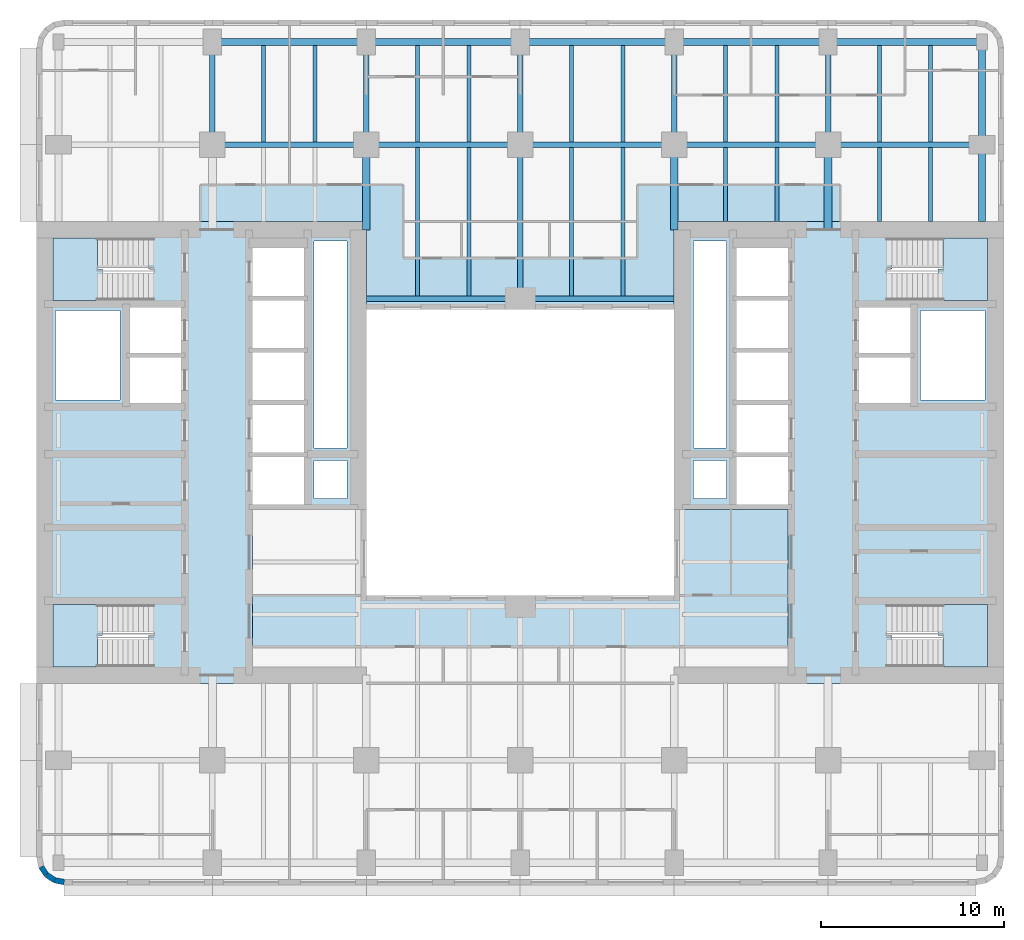
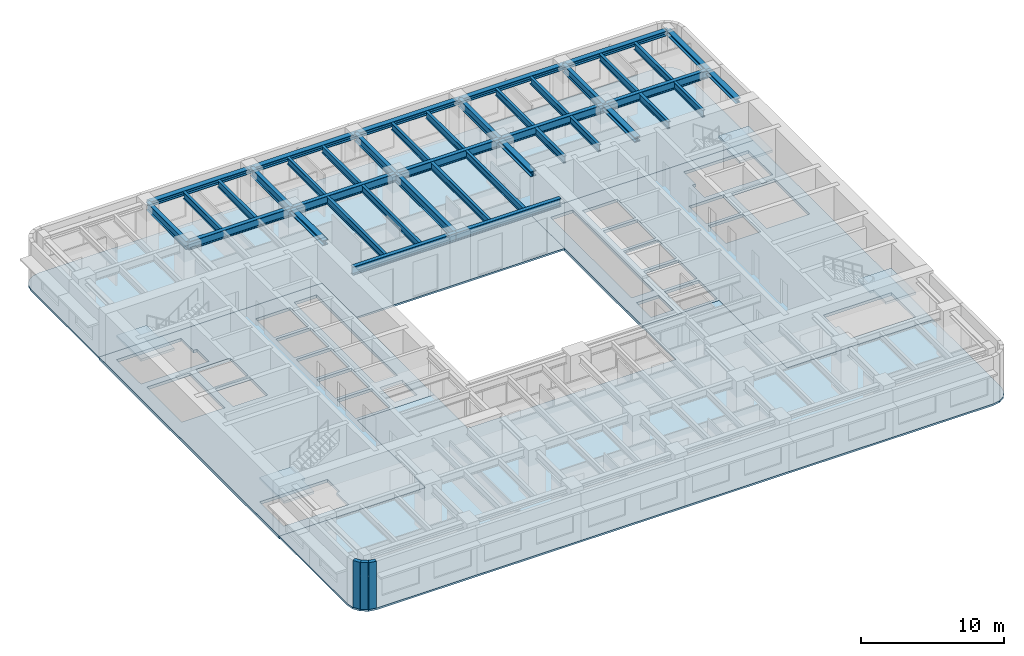
# One storey, part 2 of 11: 41 beams, 8 slabs, 3 walls, 4 elements without a shape of their own.
"""IFC4 building model written with IfcOpenShell, lengths in metres."""

from ifc_helpers import new_model, si_unit, direction, frame, frame_2d, origin, origin_2d, place, context, subcontext, project, spatial, polyline, rectangle, i_section, outline, extrude, material, layer, layer_set, material_profile, profile_set, type_object, element, aggregate, save


model = new_model("IFC4")

# Units and contexts
model_context = context("Model", 3, precision=1e-05, world=origin(), true_north=direction((0.0, 1.0)))
body_context = subcontext(model_context, "Body", "Model", "MODEL_VIEW")
ifc_project = project(units=[si_unit("LENGTHUNIT", "METRE"), si_unit("AREAUNIT", "SQUARE_METRE"), si_unit("VOLUMEUNIT", "CUBIC_METRE"), si_unit("PLANEANGLEUNIT", "RADIAN"), si_unit("MASSUNIT", "GRAM", prefix="KILO")], contexts=[model_context])

# Site, building, storey
site_placement = place(None, origin())
site = spatial("IfcSite", under=ifc_project, at=site_placement, CompositionType="ELEMENT")
building_placement = place(site_placement, origin())
building = spatial("IfcBuilding", under=site, at=building_placement, Name="Claustro Exchange Tower", CompositionType="ELEMENT")
storey_placement = place(building_placement, frame((0.0, 0.0, 163.800048828125)))
storey = spatial("IfcBuildingStorey", under=building, at=storey_placement, Name="L37", CompositionType="ELEMENT", Elevation=163.800048828125)

# Beams
ifc_material_1 = material(Name="Steel S355", Category="steel")
ifc_material_profile_1 = material_profile(ifc_material_1, i_section(OverallWidth=0.300048828125, OverallDepth=0.68994140625, WebThickness=0.014404296875, FlangeThickness=0.027099609375, FilletRadius=0.027099609375, at=origin_2d()), Name="HE 700 A")
ifc_profile_set_1 = profile_set([ifc_material_profile_1], Name="Steel S355")
beam_type_1 = type_object("IfcBeamType", Name="B13 HE 700 A light well edge girder", PredefinedType="BEAM", material=ifc_profile_set_1)
beam_1_placement = place(storey_placement, frame((16.800048828125, 33.60009765625, 3.655029296875), z_axis=(1.0, 0.0, 0.0), x_axis=(0.0, 1.0, 0.0)))
element("IfcBeam", 1, at=beam_1_placement, inside=storey, type_object=beam_type_1, Name="Beam B13 L38", PredefinedType="BEAM", context=body_context, shape_type="SweptSolid", body=[
    extrude(i_section(OverallWidth=0.300048828125, OverallDepth=0.68994140625, WebThickness=0.014404296875, FlangeThickness=0.027099609375, FilletRadius=0.027099609375, at=origin_2d()), origin(), (0.0, 0.0, 1.0), 8.39990234375),
])
beam_2_placement = place(storey_placement, frame((25.199951171875, 33.60009765625, 3.655029296875), z_axis=(1.0, 0.0, 0.0), x_axis=(0.0, 1.0, 0.0)))
element("IfcBeam", 2, at=beam_2_placement, inside=storey, type_object=beam_type_1, Name="Beam B13 L38", PredefinedType="BEAM", context=body_context, shape_type="SweptSolid", body=[
    extrude(i_section(OverallWidth=0.300048828125, OverallDepth=0.68994140625, WebThickness=0.014404296875, FlangeThickness=0.027099609375, FilletRadius=0.027099609375, at=origin_2d()), origin(), (0.0, 0.0, 1.0), 8.400146484375),
])
ifc_material_2 = material(Name="Steel S355", Category="steel")
ifc_material_profile_2 = material_profile(ifc_material_2, i_section(OverallWidth=0.300048828125, OverallDepth=0.699951171875, WebThickness=0.01708984375, FlangeThickness=0.031982421875, FilletRadius=0.027099609375, at=origin_2d()), Name="HE 700 B")
ifc_profile_set_2 = profile_set([ifc_material_profile_2], Name="Steel S355")
beam_type_2 = type_object("IfcBeamType", Name="B4 HE 700 B floor girder", PredefinedType="BEAM", material=ifc_profile_set_2)
for number, where, z_axis, x_axis, name in (
    (3, (8.39990234375, 42.0, 3.64990234375), (0.0, 1.0, 0.0), (-1.0, 0.0, 0.0), "Beam B4 L38"),
    (4, (16.800048828125, 42.0, 3.64990234375), (0.0, 1.0, 0.0), (-1.0, 0.0, 0.0), "Beam B4 L38"),
):
    element("IfcBeam", number, at=place(storey_placement, frame(where, z_axis=z_axis, x_axis=x_axis)), inside=storey, type_object=beam_type_2, Name=name, PredefinedType="BEAM", context=body_context, shape_type="SweptSolid", body=[
        extrude(i_section(OverallWidth=0.300048828125, OverallDepth=0.699951171875, WebThickness=0.01708984375, FlangeThickness=0.031982421875, FilletRadius=0.027099609375, at=origin_2d()), origin(), (0.0, 0.0, 1.0), 5.60009765625),
    ])
beam_3_placement = place(storey_placement, frame((25.199951171875, 33.60009765625, 3.64990234375), z_axis=(0.0, 1.0, 0.0), x_axis=(-1.0, 0.0, 0.0)))
element("IfcBeam", 5, at=beam_3_placement, inside=storey, type_object=beam_type_2, Name="Beam B4 L38", PredefinedType="BEAM", context=body_context, shape_type="SweptSolid", body=[
    extrude(i_section(OverallWidth=0.300048828125, OverallDepth=0.699951171875, WebThickness=0.01708984375, FlangeThickness=0.031982421875, FilletRadius=0.027099609375, at=origin_2d()), origin(), (0.0, 0.0, 1.0), 8.39990234375),
])
for number, where, z_axis, x_axis, name in (
    (6, (25.199951171875, 42.0, 3.64990234375), (0.0, 1.0, 0.0), (-1.0, 0.0, 0.0), "Beam B4 L38"),
    (7, (33.60009765625, 42.0, 3.64990234375), (0.0, 1.0, 0.0), (-1.0, 0.0, 0.0), "Beam B4 L38"),
    (8, (42.0, 42.0, 3.64990234375), (0.0, 1.0, 0.0), (-1.0, 0.0, 0.0), "Beam B4 L38"),
):
    element("IfcBeam", number, at=place(storey_placement, frame(where, z_axis=z_axis, x_axis=x_axis)), inside=storey, type_object=beam_type_2, Name=name, PredefinedType="BEAM", context=body_context, shape_type="SweptSolid", body=[
        extrude(i_section(OverallWidth=0.300048828125, OverallDepth=0.699951171875, WebThickness=0.01708984375, FlangeThickness=0.031982421875, FilletRadius=0.027099609375, at=origin_2d()), origin(), (0.0, 0.0, 1.0), 5.60009765625),
    ])
beam_4_placement = place(storey_placement, frame((8.39990234375, 42.0, 3.64990234375), z_axis=(1.0, 0.0, 0.0), x_axis=(0.0, 1.0, 0.0)))
element("IfcBeam", 9, at=beam_4_placement, inside=storey, type_object=beam_type_2, Name="Beam B4 L38", PredefinedType="BEAM", context=body_context, shape_type="SweptSolid", body=[
    extrude(i_section(OverallWidth=0.300048828125, OverallDepth=0.699951171875, WebThickness=0.01708984375, FlangeThickness=0.031982421875, FilletRadius=0.027099609375, at=origin_2d()), origin(), (0.0, 0.0, 1.0), 8.400146484375),
])
beam_5_placement = place(storey_placement, frame((16.800048828125, 42.0, 3.64990234375), z_axis=(1.0, 0.0, 0.0), x_axis=(0.0, 1.0, 0.0)))
element("IfcBeam", 10, at=beam_5_placement, inside=storey, type_object=beam_type_2, Name="Beam B4 L38", PredefinedType="BEAM", context=body_context, shape_type="SweptSolid", body=[
    extrude(i_section(OverallWidth=0.300048828125, OverallDepth=0.699951171875, WebThickness=0.01708984375, FlangeThickness=0.031982421875, FilletRadius=0.027099609375, at=origin_2d()), origin(), (0.0, 0.0, 1.0), 8.39990234375),
])
beam_6_placement = place(storey_placement, frame((25.199951171875, 42.0, 3.64990234375), z_axis=(1.0, 0.0, 0.0), x_axis=(0.0, 1.0, 0.0)))
element("IfcBeam", 11, at=beam_6_placement, inside=storey, type_object=beam_type_2, Name="Beam B4 L38", PredefinedType="BEAM", context=body_context, shape_type="SweptSolid", body=[
    extrude(i_section(OverallWidth=0.300048828125, OverallDepth=0.699951171875, WebThickness=0.01708984375, FlangeThickness=0.031982421875, FilletRadius=0.027099609375, at=origin_2d()), origin(), (0.0, 0.0, 1.0), 8.400146484375),
])
for number, where, z_axis, x_axis, name in (
    (12, (33.60009765625, 42.0, 3.64990234375), (1.0, 0.0, 0.0), (0.0, 1.0, 0.0), "Beam B4 L38"),
    (13, (42.0, 42.0, 3.64990234375), (1.0, 0.0, 0.0), (0.0, 1.0, 0.0), "Beam B4 L38"),
):
    element("IfcBeam", number, at=place(storey_placement, frame(where, z_axis=z_axis, x_axis=x_axis)), inside=storey, type_object=beam_type_2, Name=name, PredefinedType="BEAM", context=body_context, shape_type="SweptSolid", body=[
        extrude(i_section(OverallWidth=0.300048828125, OverallDepth=0.699951171875, WebThickness=0.01708984375, FlangeThickness=0.031982421875, FilletRadius=0.027099609375, at=origin_2d()), origin(), (0.0, 0.0, 1.0), 8.39990234375),
    ])
ifc_material_3 = material(Name="Steel S355", Category="steel")
ifc_material_profile_3 = material_profile(ifc_material_3, i_section(OverallWidth=0.219970703125, OverallDepth=0.60009765625, WebThickness=0.011962890625, FlangeThickness=0.01904296875, FilletRadius=0.02392578125, at=origin_2d()), Name="IPE 600")
ifc_profile_set_3 = profile_set([ifc_material_profile_3], Name="Steel S355")
beam_type_3 = type_object("IfcBeamType", Name="B5 IPE 600 secondary beam", PredefinedType="BEAM", material=ifc_profile_set_3)
for number, where, z_axis, x_axis, name in (
    (14, (11.199951171875, 42.14990234375, 3.699951171875), (0.0, 1.0, 0.0), (-1.0, 0.0, 0.0), "Beam B5 L38"),
    (15, (14.0, 42.14990234375, 3.699951171875), (0.0, 1.0, 0.0), (-1.0, 0.0, 0.0), "Beam B5 L38"),
):
    element("IfcBeam", number, at=place(storey_placement, frame(where, z_axis=z_axis, x_axis=x_axis)), inside=storey, type_object=beam_type_3, Name=name, PredefinedType="BEAM", context=body_context, shape_type="SweptSolid", body=[
        extrude(i_section(OverallWidth=0.219970703125, OverallDepth=0.60009765625, WebThickness=0.011962890625, FlangeThickness=0.01904296875, FilletRadius=0.02392578125, at=origin_2d()), origin(), (0.0, 0.0, 1.0), 5.248046875),
    ])
for number, where, z_axis, x_axis, name in (
    (16, (19.60009765625, 33.75, 3.699951171875), (0.0, 1.0, 0.0), (-1.0, 0.0, 0.0), "Beam B5 L38"),
    (17, (22.39990234375, 33.75, 3.699951171875), (0.0, 1.0, 0.0), (-1.0, 0.0, 0.0), "Beam B5 L38"),
):
    element("IfcBeam", number, at=place(storey_placement, frame(where, z_axis=z_axis, x_axis=x_axis)), inside=storey, type_object=beam_type_3, Name=name, PredefinedType="BEAM", context=body_context, shape_type="SweptSolid", body=[
        extrude(i_section(OverallWidth=0.219970703125, OverallDepth=0.60009765625, WebThickness=0.011962890625, FlangeThickness=0.01904296875, FilletRadius=0.02392578125, at=origin_2d()), origin(), (0.0, 0.0, 1.0), 8.10009765625),
    ])
for number, where, z_axis, x_axis, name in (
    (18, (19.60009765625, 42.14990234375, 3.699951171875), (0.0, 1.0, 0.0), (-1.0, 0.0, 0.0), "Beam B5 L38"),
    (19, (22.39990234375, 42.14990234375, 3.699951171875), (0.0, 1.0, 0.0), (-1.0, 0.0, 0.0), "Beam B5 L38"),
):
    element("IfcBeam", number, at=place(storey_placement, frame(where, z_axis=z_axis, x_axis=x_axis)), inside=storey, type_object=beam_type_3, Name=name, PredefinedType="BEAM", context=body_context, shape_type="SweptSolid", body=[
        extrude(i_section(OverallWidth=0.219970703125, OverallDepth=0.60009765625, WebThickness=0.011962890625, FlangeThickness=0.01904296875, FilletRadius=0.02392578125, at=origin_2d()), origin(), (0.0, 0.0, 1.0), 5.248046875),
    ])
for number, where, z_axis, x_axis, name in (
    (20, (28.0, 33.75, 3.699951171875), (0.0, 1.0, 0.0), (-1.0, 0.0, 0.0), "Beam B5 L38"),
    (21, (30.800048828125, 33.75, 3.699951171875), (0.0, 1.0, 0.0), (-1.0, 0.0, 0.0), "Beam B5 L38"),
):
    element("IfcBeam", number, at=place(storey_placement, frame(where, z_axis=z_axis, x_axis=x_axis)), inside=storey, type_object=beam_type_3, Name=name, PredefinedType="BEAM", context=body_context, shape_type="SweptSolid", body=[
        extrude(i_section(OverallWidth=0.219970703125, OverallDepth=0.60009765625, WebThickness=0.011962890625, FlangeThickness=0.01904296875, FilletRadius=0.02392578125, at=origin_2d()), origin(), (0.0, 0.0, 1.0), 8.10009765625),
    ])
for number, where, z_axis, x_axis, name in (
    (22, (28.0, 42.14990234375, 3.699951171875), (0.0, 1.0, 0.0), (-1.0, 0.0, 0.0), "Beam B5 L38"),
    (23, (30.800048828125, 42.14990234375, 3.699951171875), (0.0, 1.0, 0.0), (-1.0, 0.0, 0.0), "Beam B5 L38"),
):
    element("IfcBeam", number, at=place(storey_placement, frame(where, z_axis=z_axis, x_axis=x_axis)), inside=storey, type_object=beam_type_3, Name=name, PredefinedType="BEAM", context=body_context, shape_type="SweptSolid", body=[
        extrude(i_section(OverallWidth=0.219970703125, OverallDepth=0.60009765625, WebThickness=0.011962890625, FlangeThickness=0.01904296875, FilletRadius=0.02392578125, at=origin_2d()), origin(), (0.0, 0.0, 1.0), 5.248046875),
    ])
for number, where, z_axis, x_axis, name in (
    (24, (36.39990234375, 37.7900390625, 3.699951171875), (0.0, 1.0, 0.0), (-1.0, 0.0, 0.0), "Beam B5 L38"),
    (25, (39.199951171875, 37.7900390625, 3.699951171875), (0.0, 1.0, 0.0), (-1.0, 0.0, 0.0), "Beam B5 L38"),
):
    element("IfcBeam", number, at=place(storey_placement, frame(where, z_axis=z_axis, x_axis=x_axis)), inside=storey, type_object=beam_type_3, Name=name, PredefinedType="BEAM", context=body_context, shape_type="SweptSolid", body=[
        extrude(i_section(OverallWidth=0.219970703125, OverallDepth=0.60009765625, WebThickness=0.011962890625, FlangeThickness=0.01904296875, FilletRadius=0.02392578125, at=origin_2d()), origin(), (0.0, 0.0, 1.0), 4.06005859375),
    ])
for number, where, z_axis, x_axis, name in (
    (26, (36.39990234375, 42.14990234375, 3.699951171875), (0.0, 1.0, 0.0), (-1.0, 0.0, 0.0), "Beam B5 L38"),
    (27, (39.199951171875, 42.14990234375, 3.699951171875), (0.0, 1.0, 0.0), (-1.0, 0.0, 0.0), "Beam B5 L38"),
):
    element("IfcBeam", number, at=place(storey_placement, frame(where, z_axis=z_axis, x_axis=x_axis)), inside=storey, type_object=beam_type_3, Name=name, PredefinedType="BEAM", context=body_context, shape_type="SweptSolid", body=[
        extrude(i_section(OverallWidth=0.219970703125, OverallDepth=0.60009765625, WebThickness=0.011962890625, FlangeThickness=0.01904296875, FilletRadius=0.02392578125, at=origin_2d()), origin(), (0.0, 0.0, 1.0), 5.248046875),
    ])
for number, where, z_axis, x_axis, name in (
    (28, (44.800048828125, 37.7900390625, 3.699951171875), (0.0, 1.0, 0.0), (-1.0, 0.0, 0.0), "Beam B5 L38"),
    (29, (47.60009765625, 37.7900390625, 3.699951171875), (0.0, 1.0, 0.0), (-1.0, 0.0, 0.0), "Beam B5 L38"),
):
    element("IfcBeam", number, at=place(storey_placement, frame(where, z_axis=z_axis, x_axis=x_axis)), inside=storey, type_object=beam_type_3, Name=name, PredefinedType="BEAM", context=body_context, shape_type="SweptSolid", body=[
        extrude(i_section(OverallWidth=0.219970703125, OverallDepth=0.60009765625, WebThickness=0.011962890625, FlangeThickness=0.01904296875, FilletRadius=0.02392578125, at=origin_2d()), origin(), (0.0, 0.0, 1.0), 4.06005859375),
    ])
for number, where, z_axis, x_axis, name in (
    (30, (44.800048828125, 42.14990234375, 3.699951171875), (0.0, 1.0, 0.0), (-1.0, 0.0, 0.0), "Beam B5 L38"),
    (31, (47.60009765625, 42.14990234375, 3.699951171875), (0.0, 1.0, 0.0), (-1.0, 0.0, 0.0), "Beam B5 L38"),
):
    element("IfcBeam", number, at=place(storey_placement, frame(where, z_axis=z_axis, x_axis=x_axis)), inside=storey, type_object=beam_type_3, Name=name, PredefinedType="BEAM", context=body_context, shape_type="SweptSolid", body=[
        extrude(i_section(OverallWidth=0.219970703125, OverallDepth=0.60009765625, WebThickness=0.011962890625, FlangeThickness=0.01904296875, FilletRadius=0.02392578125, at=origin_2d()), origin(), (0.0, 0.0, 1.0), 5.248046875),
    ])
ifc_material_4 = material(Name="Steel S460", Category="steel")
ifc_material_profile_4 = material_profile(ifc_material_4, i_section(OverallWidth=0.404052734375, OverallDepth=0.406982421875, WebThickness=0.027099609375, FlangeThickness=0.043701171875, FilletRadius=0.014892578125, at=origin_2d()), Name="HD 400x347")
ifc_profile_set_4 = profile_set([ifc_material_profile_4], Name="Steel S460")
beam_type_4 = type_object("IfcBeamType", Name="BT3 HD 400x347 belt truss chord", PredefinedType="BEAM", material=ifc_profile_set_4)
beam_7_placement = place(storey_placement, frame((50.39990234375, 37.800048828125, 3.79638671875), z_axis=(0.0, 1.0, 0.0), x_axis=(-1.0, 0.0, 0.0)))
element("IfcBeam", 32, at=beam_7_placement, inside=storey, type_object=beam_type_4, Name="Beam BT3 L38", PredefinedType="BEAM", context=body_context, shape_type="SweptSolid", body=[
    extrude(i_section(OverallWidth=0.404052734375, OverallDepth=0.406982421875, WebThickness=0.027099609375, FlangeThickness=0.043701171875, FilletRadius=0.014892578125, at=origin_2d()), origin(), (0.0, 0.0, 1.0), 4.199951171875),
])
beam_8_placement = place(storey_placement, frame((50.39990234375, 42.0, 3.79638671875), z_axis=(0.0, 1.0, 0.0), x_axis=(-1.0, 0.0, 0.0)))
element("IfcBeam", 33, at=beam_8_placement, inside=storey, type_object=beam_type_4, Name="Beam BT3 L38", PredefinedType="BEAM", context=body_context, shape_type="SweptSolid", body=[
    extrude(i_section(OverallWidth=0.404052734375, OverallDepth=0.406982421875, WebThickness=0.027099609375, FlangeThickness=0.043701171875, FilletRadius=0.014892578125, at=origin_2d()), origin(), (0.0, 0.0, 1.0), 5.60009765625),
])
beam_9_placement = place(storey_placement, frame((8.39990234375, 47.60009765625, 3.79638671875), z_axis=(1.0, 0.0, 0.0), x_axis=(0.0, 1.0, 0.0)))
element("IfcBeam", 34, at=beam_9_placement, inside=storey, type_object=beam_type_4, Name="Beam BT3 L38", PredefinedType="BEAM", context=body_context, shape_type="SweptSolid", body=[
    extrude(i_section(OverallWidth=0.404052734375, OverallDepth=0.406982421875, WebThickness=0.027099609375, FlangeThickness=0.043701171875, FilletRadius=0.014892578125, at=origin_2d()), origin(), (0.0, 0.0, 1.0), 8.400146484375),
])
beam_10_placement = place(storey_placement, frame((16.800048828125, 47.60009765625, 3.79638671875), z_axis=(1.0, 0.0, 0.0), x_axis=(0.0, 1.0, 0.0)))
element("IfcBeam", 35, at=beam_10_placement, inside=storey, type_object=beam_type_4, Name="Beam BT3 L38", PredefinedType="BEAM", context=body_context, shape_type="SweptSolid", body=[
    extrude(i_section(OverallWidth=0.404052734375, OverallDepth=0.406982421875, WebThickness=0.027099609375, FlangeThickness=0.043701171875, FilletRadius=0.014892578125, at=origin_2d()), origin(), (0.0, 0.0, 1.0), 8.39990234375),
])
beam_11_placement = place(storey_placement, frame((25.199951171875, 47.60009765625, 3.79638671875), z_axis=(1.0, 0.0, 0.0), x_axis=(0.0, 1.0, 0.0)))
element("IfcBeam", 36, at=beam_11_placement, inside=storey, type_object=beam_type_4, Name="Beam BT3 L38", PredefinedType="BEAM", context=body_context, shape_type="SweptSolid", body=[
    extrude(i_section(OverallWidth=0.404052734375, OverallDepth=0.406982421875, WebThickness=0.027099609375, FlangeThickness=0.043701171875, FilletRadius=0.014892578125, at=origin_2d()), origin(), (0.0, 0.0, 1.0), 8.400146484375),
])
for number, where, z_axis, x_axis, name in (
    (37, (33.60009765625, 47.60009765625, 3.79638671875), (1.0, 0.0, 0.0), (0.0, 1.0, 0.0), "Beam BT3 L38"),
    (38, (42.0, 47.60009765625, 3.79638671875), (1.0, 0.0, 0.0), (0.0, 1.0, 0.0), "Beam BT3 L38"),
):
    element("IfcBeam", number, at=place(storey_placement, frame(where, z_axis=z_axis, x_axis=x_axis)), inside=storey, type_object=beam_type_4, Name=name, PredefinedType="BEAM", context=body_context, shape_type="SweptSolid", body=[
        extrude(i_section(OverallWidth=0.404052734375, OverallDepth=0.406982421875, WebThickness=0.027099609375, FlangeThickness=0.043701171875, FilletRadius=0.014892578125, at=origin_2d()), origin(), (0.0, 0.0, 1.0), 8.39990234375),
    ])
ifc_material_5 = material(Name="Steel S460", Category="steel")
ifc_material_profile_5 = material_profile(ifc_material_5, i_section(OverallWidth=0.422119140625, OverallDepth=0.425048828125, WebThickness=0.035888671875, FlangeThickness=0.05810546875, FilletRadius=0.014892578125, at=origin_2d()), Name="HD 400x463")
ifc_profile_set_5 = profile_set([ifc_material_profile_5], Name="Steel S460")
beam_type_5 = type_object("IfcBeamType", Name="OT3 HD 400x463 OUTRIGGER truss chord", PredefinedType="BEAM", material=ifc_profile_set_5)
for number, where, z_axis, x_axis, name in (
    (39, (16.800048828125, 37.35009765625, 3.737548828125), (0.0, 1.0, 0.0), (-1.0, 0.0, 0.0), "Beam OT3 L38"),
    (40, (33.60009765625, 37.35009765625, 3.737548828125), (0.0, 1.0, 0.0), (-1.0, 0.0, 0.0), "Beam OT3 L38"),
    (41, (42.0, 37.35009765625, 3.737548828125), (0.0, 1.0, 0.0), (-1.0, 0.0, 0.0), "Beam OT3 L38"),
):
    element("IfcBeam", number, at=place(storey_placement, frame(where, z_axis=z_axis, x_axis=x_axis)), inside=storey, type_object=beam_type_5, Name=name, PredefinedType="BEAM", context=body_context, shape_type="SweptSolid", body=[
        extrude(i_section(OverallWidth=0.422119140625, OverallDepth=0.425048828125, WebThickness=0.035888671875, FlangeThickness=0.05810546875, FilletRadius=0.014892578125, at=origin_2d()), origin(), (0.0, 0.0, 1.0), 4.64990234375),
    ])

# Slabs
ifc_material_6 = material(Name="Concrete HA-50 (C50/60)", Category="concrete")
ifc_layer_1 = layer(ifc_material_6, 0.14990234375)
ifc_layer_set_1 = layer_set([ifc_layer_1], Name="Concrete HA-50 (C50/60)")
slab_type_1 = type_object("IfcSlabType", Name="S2 150 composite floor slab", PredefinedType="FLOOR", material=ifc_layer_set_1)
slab_1_placement = place(storey_placement, frame((0.0, 0.0, -0.150146484375)))
element("IfcSlab", 42, at=slab_1_placement, inside=storey, type_object=slab_type_1, Name="Floor slab S2 S L37", PredefinedType="FLOOR", context=body_context, shape_type="SweptSolid", body=[
    extrude(outline(polyline([(-0.27392578125, 1.714111328125), (0.300048828125, 1.60009765625), (50.10009765625, 1.60009765625), (50.674072265625, 1.714111328125), (51.16064453125, 2.039306640625), (51.48583984375, 2.52587890625), (51.60009765625, 3.10009765625), (51.60009765625, 12.60009765625), (39.800048828125, 12.60009765625), (39.800048828125, 22.10009765625), (33.60009765625, 22.10009765625), (33.60009765625, 17.39990234375), (16.800048828125, 17.39990234375), (16.800048828125, 22.10009765625), (10.60009765625, 22.10009765625), (10.60009765625, 12.60009765625), (-1.199951171875, 12.60009765625), (-1.199951171875, 3.10009765625), (-1.085693359375, 2.52587890625), (-0.7607421875, 2.039306640625), (-0.27392578125, 1.714111328125)])), origin(), (0.0, 0.0, 1.0), 0.150146484375),
])
slab_2_placement = place(storey_placement, frame((0.0, 0.0, -0.150146484375)))
element("IfcSlab", 43, at=slab_2_placement, inside=storey, type_object=slab_type_1, Name="Floor slab S2 N L37", PredefinedType="FLOOR", context=body_context, shape_type="SweptSolid", body=[
    extrude(outline(polyline([(16.800048828125, 37.800048828125), (16.800048828125, 33.0), (33.60009765625, 33.0), (33.60009765625, 37.800048828125), (51.60009765625, 37.800048828125), (51.60009765625, 47.300048828125), (51.48583984375, 47.8740234375), (51.16064453125, 48.360595703125), (50.674072265625, 48.685791015625), (50.10009765625, 48.800048828125), (0.300048828125, 48.800048828125), (-0.27392578125, 48.685791015625), (-0.7607421875, 48.360595703125), (-1.085693359375, 47.8740234375), (-1.199951171875, 47.300048828125), (-1.199951171875, 37.800048828125), (16.800048828125, 37.800048828125)])), origin(), (0.0, 0.0, 1.0), 0.150146484375),
])
ifc_material_7 = material(Name="Concrete HA-50 (C50/60)", Category="concrete")
ifc_layer_2 = layer(ifc_material_7, 0.25)
ifc_layer_set_2 = layer_set([ifc_layer_2], Name="Concrete HA-50 (C50/60)")
slab_type_2 = type_object("IfcSlabType", Name="S7 250 core floor slab", PredefinedType="FLOOR", material=ifc_layer_set_2)
slab_3_placement = place(storey_placement, frame((0.0, 0.0, -0.25)))
element("IfcSlab", 44, at=slab_3_placement, inside=storey, type_object=slab_type_2, Name="Core floor slab S7 W core L37", PredefinedType="FLOOR", context=body_context, shape_type="SweptSolid", body=[
    extrude(outline(polyline([(-1.199951171875, 37.800048828125), (-1.199951171875, 12.60009765625), (10.60009765625, 12.60009765625), (10.60009765625, 22.10009765625), (16.800048828125, 22.10009765625), (16.800048828125, 37.800048828125), (-1.199951171875, 37.800048828125)]), holes=[polyline([(13.949951171875, 24.75), (15.75, 24.75), (15.75, 22.699951171875), (13.949951171875, 22.699951171875), (13.949951171875, 24.75)]), polyline([(13.949951171875, 36.75), (15.75, 36.75), (15.75, 25.449951171875), (13.949951171875, 25.449951171875), (13.949951171875, 36.75)]), polyline([(13.39990234375, 24.949951171875), (13.39990234375, 22.35009765625), (10.60009765625, 22.35009765625), (10.60009765625, 24.949951171875), (13.39990234375, 24.949951171875)]), polyline([(13.39990234375, 27.800048828125), (13.39990234375, 25.199951171875), (10.60009765625, 25.199951171875), (10.60009765625, 27.800048828125), (13.39990234375, 27.800048828125)]), polyline([(13.39990234375, 30.64990234375), (13.39990234375, 28.050048828125), (10.60009765625, 28.050048828125), (10.60009765625, 30.64990234375), (13.39990234375, 30.64990234375)]), polyline([(13.39990234375, 33.5), (13.39990234375, 30.89990234375), (10.60009765625, 30.89990234375), (10.60009765625, 33.5), (13.39990234375, 33.5)]), polyline([(13.39990234375, 36.35009765625), (13.39990234375, 33.75), (10.60009765625, 33.75), (10.60009765625, 36.35009765625), (13.39990234375, 36.35009765625)]), polyline([(6.699951171875, 30.375), (6.699951171875, 27.89990234375), (3.89990234375, 27.89990234375), (3.89990234375, 30.375), (6.699951171875, 30.375)]), polyline([(6.699951171875, 33.10009765625), (6.699951171875, 30.625), (3.89990234375, 30.625), (3.89990234375, 33.10009765625), (6.699951171875, 33.10009765625)]), polyline([(-0.300048828125, 15.199951171875), (-0.300048828125, 16.89990234375), (5.195068359375, 16.89990234375), (5.195068359375, 15.199951171875), (4.919921875, 15.199951171875), (4.919921875, 13.5), (-0.300048828125, 13.5), (-0.300048828125, 15.199951171875)]), polyline([(-0.300048828125, 35.199951171875), (-0.300048828125, 36.89990234375), (4.919921875, 36.89990234375), (4.919921875, 35.199951171875), (5.195068359375, 35.199951171875), (5.195068359375, 33.5), (-0.300048828125, 33.5), (-0.300048828125, 35.199951171875)]), polyline([(-0.14990234375, 32.949951171875), (3.35009765625, 32.949951171875), (3.35009765625, 28.050048828125), (-0.14990234375, 28.050048828125), (-0.14990234375, 32.949951171875)])]), origin(), (0.0, 0.0, 1.0), 0.25),
])
slab_4_placement = place(storey_placement, frame((0.0, 0.0, -0.25)))
element("IfcSlab", 45, at=slab_4_placement, inside=storey, type_object=slab_type_2, Name="Core floor slab S7 E core L37", PredefinedType="FLOOR", context=body_context, shape_type="SweptSolid", body=[
    extrude(outline(polyline([(51.60009765625, 37.800048828125), (33.60009765625, 37.800048828125), (33.60009765625, 22.10009765625), (39.800048828125, 22.10009765625), (39.800048828125, 12.60009765625), (51.60009765625, 12.60009765625), (51.60009765625, 37.800048828125)]), holes=[polyline([(45.47998046875, 15.199951171875), (45.205078125, 15.199951171875), (45.205078125, 16.89990234375), (50.699951171875, 16.89990234375), (50.699951171875, 15.199951171875), (50.699951171875, 13.5), (45.47998046875, 13.5), (45.47998046875, 15.199951171875)]), polyline([(45.47998046875, 35.199951171875), (45.47998046875, 36.89990234375), (50.699951171875, 36.89990234375), (50.699951171875, 35.199951171875), (50.699951171875, 33.5), (45.205078125, 33.5), (45.205078125, 35.199951171875), (45.47998046875, 35.199951171875)]), polyline([(50.550048828125, 32.949951171875), (50.550048828125, 28.050048828125), (47.050048828125, 28.050048828125), (47.050048828125, 32.949951171875), (50.550048828125, 32.949951171875)]), polyline([(43.699951171875, 33.10009765625), (46.5, 33.10009765625), (46.5, 30.625), (43.699951171875, 30.625), (43.699951171875, 33.10009765625)]), polyline([(46.5, 30.375), (46.5, 27.89990234375), (43.699951171875, 27.89990234375), (43.699951171875, 30.375), (46.5, 30.375)]), polyline([(37.0, 24.949951171875), (39.800048828125, 24.949951171875), (39.800048828125, 22.35009765625), (37.0, 22.35009765625), (37.0, 24.949951171875)]), polyline([(37.0, 30.64990234375), (39.800048828125, 30.64990234375), (39.800048828125, 28.050048828125), (37.0, 28.050048828125), (37.0, 30.64990234375)]), polyline([(39.800048828125, 27.800048828125), (39.800048828125, 25.199951171875), (37.0, 25.199951171875), (37.0, 27.800048828125), (39.800048828125, 27.800048828125)]), polyline([(39.800048828125, 33.5), (39.800048828125, 30.89990234375), (37.0, 30.89990234375), (37.0, 33.5), (39.800048828125, 33.5)]), polyline([(39.800048828125, 36.35009765625), (39.800048828125, 33.75), (37.0, 33.75), (37.0, 36.35009765625), (39.800048828125, 36.35009765625)]), polyline([(36.449951171875, 24.75), (36.449951171875, 22.699951171875), (34.64990234375, 22.699951171875), (34.64990234375, 24.75), (36.449951171875, 24.75)]), polyline([(36.449951171875, 36.75), (36.449951171875, 25.449951171875), (34.64990234375, 25.449951171875), (34.64990234375, 36.75), (36.449951171875, 36.75)])]), origin(), (0.0, 0.0, 1.0), 0.25),
])

# Stair, slab
ifc_material_8 = material(Name="Concrete HA-30 (C30/37), precast", Category="concrete")
stair_type = type_object("IfcStairType", Name="ST1 half-turn stair, 24 risers of 175", PredefinedType="HALF_TURN_STAIR", material=ifc_material_8)
stair_1_placement = place(storey_placement, origin())
stair_1 = element("IfcStair", 46, at=stair_1_placement, inside=storey, type_object=stair_type, Name="Stair STWA L37", PredefinedType="HALF_TURN_STAIR")
ifc_material_9 = material(Name="Concrete HA-30 (C30/37), precast", Category="concrete")
ifc_layer_3 = layer(ifc_material_9, 0.199951171875)
ifc_layer_set_3 = layer_set([ifc_layer_3], Name="Concrete HA-30 (C30/37), precast")
slab_type_3 = type_object("IfcSlabType", Name="S9 200 stair landing", PredefinedType="LANDING", material=ifc_layer_set_3)
slab_5_placement = place(storey_placement, frame((0.0, 0.0, 1.89990234375)))
slab_5 = element("IfcSlab", 47, at=slab_5_placement, type_object=slab_type_3, Name="STWA landing 1", PredefinedType="LANDING", context=body_context, shape_type="SweptSolid", body=[
    extrude(outline(polyline([(2.125, 13.5), (-0.300048828125, 13.5), (-0.300048828125, 16.89990234375), (2.1201171875, 16.89990234375), (2.125, 16.89990234375), (2.39990234375, 16.89990234375), (2.39990234375, 15.199951171875), (2.125, 15.199951171875), (2.125, 13.5)])), origin(), (0.0, 0.0, 1.0), 0.199951171875),
])
aggregate(stair_1, [slab_5])

stair_2_placement = place(storey_placement, origin())
stair_2 = element("IfcStair", 48, at=stair_2_placement, inside=storey, type_object=stair_type, Name="Stair STWB L37", PredefinedType="HALF_TURN_STAIR")
slab_6_placement = place(storey_placement, frame((0.0, 0.0, 1.89990234375)))
slab_6 = element("IfcSlab", 49, at=slab_6_placement, type_object=slab_type_3, Name="STWB landing 1", PredefinedType="LANDING", context=body_context, shape_type="SweptSolid", body=[
    extrude(outline(polyline([(2.39990234375, 35.199951171875), (2.39990234375, 33.5), (2.125, 33.5), (2.1201171875, 33.5), (-0.300048828125, 33.5), (-0.300048828125, 36.89990234375), (2.125, 36.89990234375), (2.125, 35.199951171875), (2.39990234375, 35.199951171875)])), origin(), (0.0, 0.0, 1.0), 0.199951171875),
])
aggregate(stair_2, [slab_6])

stair_3_placement = place(storey_placement, origin())
stair_3 = element("IfcStair", 50, at=stair_3_placement, inside=storey, type_object=stair_type, Name="Stair STEA L37", PredefinedType="HALF_TURN_STAIR")
slab_7_placement = place(storey_placement, frame((0.0, 0.0, 1.89990234375)))
slab_7 = element("IfcSlab", 51, at=slab_7_placement, type_object=slab_type_3, Name="STEA landing 1", PredefinedType="LANDING", context=body_context, shape_type="SweptSolid", body=[
    extrude(outline(polyline([(50.699951171875, 16.89990234375), (50.699951171875, 13.5), (48.27490234375, 13.5), (48.27490234375, 15.199951171875), (48.0, 15.199951171875), (48.0, 16.89990234375), (48.27490234375, 16.89990234375), (48.280029296875, 16.89990234375), (50.699951171875, 16.89990234375)])), origin(), (0.0, 0.0, 1.0), 0.199951171875),
])
aggregate(stair_3, [slab_7])

stair_4_placement = place(storey_placement, origin())
stair_4 = element("IfcStair", 52, at=stair_4_placement, inside=storey, type_object=stair_type, Name="Stair STEB L37", PredefinedType="HALF_TURN_STAIR")
slab_8_placement = place(storey_placement, frame((0.0, 0.0, 1.89990234375)))
slab_8 = element("IfcSlab", 53, at=slab_8_placement, type_object=slab_type_3, Name="STEB landing 1", PredefinedType="LANDING", context=body_context, shape_type="SweptSolid", body=[
    extrude(outline(polyline([(48.0, 33.5), (48.0, 35.199951171875), (48.27490234375, 35.199951171875), (48.27490234375, 36.89990234375), (50.699951171875, 36.89990234375), (50.699951171875, 33.5), (48.280029296875, 33.5), (48.27490234375, 33.5), (48.0, 33.5)])), origin(), (0.0, 0.0, 1.0), 0.199951171875),
])
aggregate(stair_4, [slab_8])

# Walls
ifc_material_10 = material(Name="Concrete HA-40 (C40/50), precast, white cement, acid-etched", Category="concrete")
ifc_layer_4 = layer(ifc_material_10, 0.300048828125)
ifc_layer_set_4 = layer_set([ifc_layer_4], Name="Concrete HA-40 (C40/50), precast, white cement, acid-etched")
wall_type = type_object("IfcWallType", Name="PC1 300 precast concrete pier panel", PredefinedType="SOLIDWALL", material=ifc_layer_set_4)
wall_placement = place(storey_placement, frame((0.314697265625, 1.75, 0.0), z_axis=(0.0, 0.0, 1.0), x_axis=(-0.980788534345, 0.195073962632, 0.0)))
element("IfcWall", 54, at=wall_placement, inside=storey, type_object=wall_type, Name="Precast pier panel PC1 L37", PredefinedType="SOLIDWALL", context=body_context, shape_type="SweptSolid", body=[
    extrude(rectangle(XDim=0.540771484375, YDim=0.300048828125, at=frame_2d((0.2705078125, 0.0))), origin(), (0.0, 0.0, 1.0), 4.0),
])
for number, where, z_axis, x_axis, name in (
    (55, (-0.215576171875, 1.85546875, 0.0), (0.0, 0.0, 1.0), (-0.831478144188, 0.555557463938, 0.0), "Precast pier panel PC1 L37"),
    (56, (-0.652587890625, 2.1474609375, 0.0), (0.0, 0.0, 1.0), (-0.555557463938, 0.831478144188, 0.0), "Precast pier panel PC1 L37"),
):
    element("IfcWall", number, at=place(storey_placement, frame(where, z_axis=z_axis, x_axis=x_axis)), inside=storey, type_object=wall_type, Name=name, PredefinedType="SOLIDWALL", context=body_context, shape_type="SweptSolid", body=[
        extrude(rectangle(XDim=0.525634765625, YDim=0.300048828125, at=frame_2d((0.2626953125, 0.0))), origin(), (0.0, 0.0, 1.0), 4.0),
    ])

save(model, "model.ifc")
